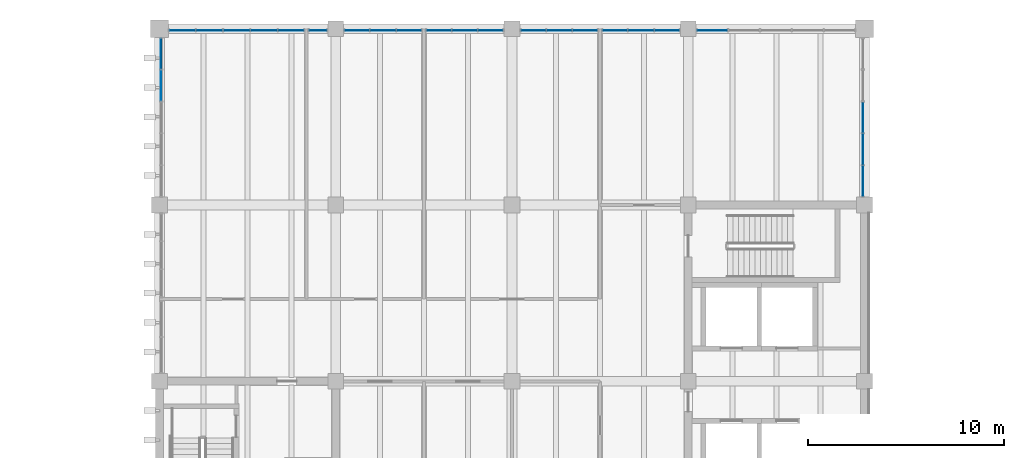
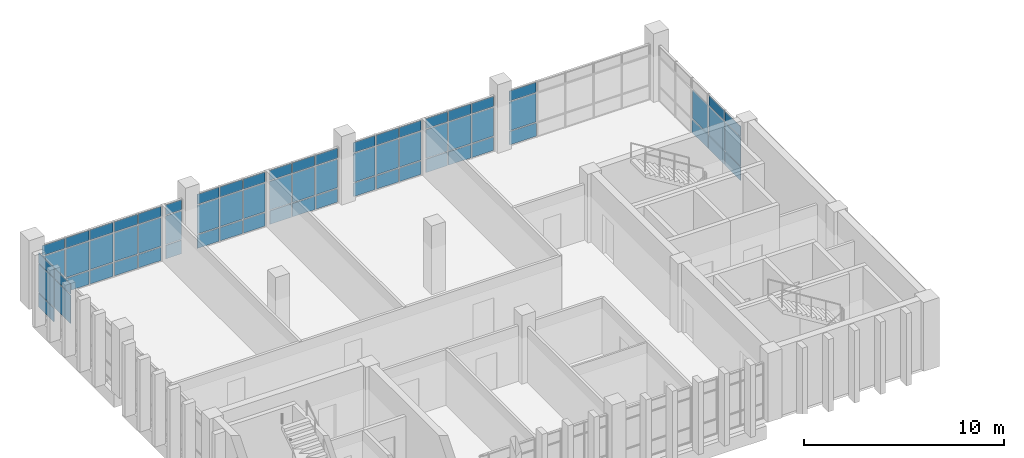
# One storey, part 16 of 29: 70 plates, 9 elements without a shape of their own.
"""IFC4 building model written with IfcOpenShell, lengths in metres."""

import ifcopenshell
import ifcopenshell.guid

model = None  # the IFC model being written
_history = None  # IfcOwnerHistory: only IFC2X3 demands one
_inside = {}  # id of a spatial element -> (the spatial element, [elements in it])
_under = {}  # id of a project, library or spatial element -> (it, [spatial elements below it])
_declared = {}  # id of a project -> (the project, [libraries it declares])
_typed = {}  # id of a type object -> (the type object, [elements of that type])
_made_of = {}  # id of a material, layer set ... -> (it, [elements and type objects made of it])


def new_model(schema):
    """Start an empty IFC model of exactly this schema.

    Asked for "IFC4X3", IfcOpenShell would pick the latest addendum, in which some entities
    have other attributes; the version numbers below select the first issue.
    IFC2X3 requires an IfcOwnerHistory on every rooted entity: one is made here for all.
    """
    global model, _history
    if schema == "IFC4X3":
        model = ifcopenshell.file(schema_version=(4, 3, 0, 0))
    else:
        model = ifcopenshell.file(schema=schema)
    _inside.clear()
    _under.clear()
    _declared.clear()
    _typed.clear()
    _made_of.clear()
    _history = None
    if model.schema == "IFC2X3":
        org = make("IfcOrganization", Name="unknown")
        user = make(
            "IfcPersonAndOrganization",
            ThePerson=make("IfcPerson", FamilyName="unknown"),
            TheOrganization=org,
        )
        app = make(
            "IfcApplication",
            ApplicationDeveloper=org,
            Version="unknown",
            ApplicationFullName="unknown",
            ApplicationIdentifier="unknown",
        )
        _history = make(
            "IfcOwnerHistory",
            OwningUser=user,
            OwningApplication=app,
            ChangeAction="ADDED",
            CreationDate=0,
        )
    return model


def make(cls, **values):
    """One entity of the class cls with the attributes given. An attribute that is None is left unset."""
    return model.create_entity(
        cls, **{name: value for name, value in values.items() if value is not None}
    )


def rooted(cls, **values):
    """An entity with a GlobalId (a new one), such as an element, a storey or a relation."""
    return make(cls, GlobalId=ifcopenshell.guid.new(), OwnerHistory=_history, **values)


def si_unit(unit_type, name, prefix=None):
    """IfcSIUnit, for example si_unit("LENGTHUNIT", "METRE", prefix="MILLI")."""
    return make("IfcSIUnit", UnitType=unit_type, Prefix=prefix, Name=name)


def assignment(units):
    """IfcUnitAssignment: the units of a project."""
    return None if units is None else make("IfcUnitAssignment", Units=units)


def point(xyz):
    """IfcCartesianPoint."""
    return None if xyz is None else make("IfcCartesianPoint", Coordinates=xyz)


def direction(xyz):
    """IfcDirection."""
    return None if xyz is None else make("IfcDirection", DirectionRatios=xyz)


def frame(location, z_axis=None, x_axis=None):
    """IfcAxis2Placement3D, a coordinate frame: its origin and axes. An axis left out is left unset."""
    return make(
        "IfcAxis2Placement3D",
        Location=point(location),
        Axis=direction(z_axis),
        RefDirection=direction(x_axis),
    )


def frame_2d(location, x_axis=None):
    """IfcAxis2Placement2D, a coordinate frame in the plane: its origin and x axis."""
    return make(
        "IfcAxis2Placement2D", Location=point(location), RefDirection=direction(x_axis)
    )


def origin():
    """The frame at (0, 0, 0) with its axes left unset."""
    return frame((0.0, 0.0, 0.0))


def origin_2d():
    """The frame at (0, 0) in the plane with its x axis left unset."""
    return frame_2d((0.0, 0.0))


def place(relative_to, where):
    """IfcLocalPlacement: puts the frame where relative to a parent placement (None: the world)."""
    return make(
        "IfcLocalPlacement", PlacementRelTo=relative_to, RelativePlacement=where
    )


def context(
    kind, dimensions, precision=None, world=None, true_north=None, identifier=None
):
    """IfcGeometricRepresentationContext, for example the 3D "Model" context."""
    return make(
        "IfcGeometricRepresentationContext",
        ContextIdentifier=identifier,
        ContextType=kind,
        CoordinateSpaceDimension=dimensions,
        Precision=precision,
        WorldCoordinateSystem=world,
        TrueNorth=true_north,
    )


def subcontext(parent, identifier, kind, view, scale=None):
    """IfcGeometricRepresentationSubContext, for example "Body" below "Model"."""
    return make(
        "IfcGeometricRepresentationSubContext",
        ContextIdentifier=identifier,
        ContextType=kind,
        ParentContext=parent,
        TargetScale=scale,
        TargetView=view,
    )


def project(units=None, contexts=None):
    """IfcProject with its units and contexts."""
    return rooted(
        "IfcProject",
        Name="project",
        RepresentationContexts=contexts,
        UnitsInContext=assignment(units),
    )


def spatial(cls, under=None, at=None, **own):
    """A site, building, storey or space (cls), placed at a placement, below another one or the project."""
    s = rooted(cls, ObjectPlacement=at, **own)
    if under is not None:
        _under.setdefault(under.id(), (under, []))[1].append(s)
    return s


def profile(cls, at=None, kind="AREA", **sizes):
    """A parametric profile (cls). Its sizes go by their IFC names, for example OverallWidth=200.0."""
    return make(cls, ProfileType=kind, Position=at, **sizes)


def rectangle(**sizes):
    """IfcRectangleProfileDef."""
    return profile("IfcRectangleProfileDef", **sizes)


def extrude(swept, where, along, depth):
    """IfcExtrudedAreaSolid: the profile swept, set in the frame where, extruded along a direction by depth."""
    return make(
        "IfcExtrudedAreaSolid",
        SweptArea=swept,
        Position=where,
        ExtrudedDirection=direction(along),
        Depth=depth,
    )


def shape(context_of_items, identifier, shape_type, items):
    """IfcShapeRepresentation: the items that make up one representation, for example the "Body"."""
    return make(
        "IfcShapeRepresentation",
        ContextOfItems=context_of_items,
        RepresentationIdentifier=identifier,
        RepresentationType=shape_type,
        Items=items,
    )


def material(Name=None, Category=None):
    """IfcMaterial."""
    return make("IfcMaterial", Name=Name, Category=Category)


def layer(
    of_material, thickness, ventilated=None, Name=None, Category=None, Priority=None
):
    """IfcMaterialLayer: one layer of a wall or slab, of a material (None: an air gap)."""
    return make(
        "IfcMaterialLayer",
        Material=of_material,
        LayerThickness=thickness,
        IsVentilated=ventilated,
        Name=Name,
        Category=Category,
        Priority=Priority,
    )


def layer_set(layers, Name=None):
    """IfcMaterialLayerSet."""
    return make("IfcMaterialLayerSet", MaterialLayers=layers, LayerSetName=Name)


def made_of(thing, what):
    """Note that an element or type object is made of a material, layer set ...; save() writes the relation."""
    if what is not None:
        _made_of.setdefault(what.id(), (what, []))[1].append(thing)
    return thing


def type_object(cls, material=None, **own):
    """A type object (cls), such as IfcWallType, which elements share."""
    return made_of(rooted(cls, **own), material)


def element(
    cls,
    number,
    at=None,
    inside=None,
    cuts=None,
    type_object=None,
    material=None,
    context=None,
    identifier="Body",
    shape_type=None,
    held_by="IfcProductDefinitionShape",
    body=None,
    shapes=None,
    **own,
):
    """One element of the class cls, such as IfcWall. Its Tag is "e" and its number.

    at: its placement. inside: the storey or other place that contains it. cuts: it is an
    opening in that element (IfcRelVoidsElement). A single representation is given by context,
    identifier, shape_type and body (its items); several are given by shapes. held_by: the class
    of the entity that holds the representations. save() writes the other relations.
    """
    e = rooted(cls, Tag="e%d" % number, ObjectPlacement=at, **own)
    if body is not None:
        shapes = [shape(context, identifier, shape_type, body)]
    if shapes is not None:
        e.Representation = make(held_by, Representations=shapes)
    if inside is not None:
        _inside.setdefault(inside.id(), (inside, []))[1].append(e)
    if cuts is not None:
        rooted(
            "IfcRelVoidsElement", RelatingBuildingElement=cuts, RelatedOpeningElement=e
        )
    if type_object is not None:
        _typed.setdefault(type_object.id(), (type_object, []))[1].append(e)
    return made_of(e, material)


def aggregate(whole, parts):
    """IfcRelAggregates: a whole, such as a stair, and the parts it consists of."""
    return rooted("IfcRelAggregates", RelatingObject=whole, RelatedObjects=parts)


def save(model, path):
    """Write the relations noted so far, then the file.

    IfcRelAggregates (storeys below a building ...), IfcRelContainedInSpatialStructure (elements
    in a storey), IfcRelDefinesByType, IfcRelAssociatesMaterial and IfcRelDeclares: one each for
    every whole, place, type object, material and project.
    """
    for whole, parts in _under.values():
        aggregate(whole, parts)
    for where, things in _inside.values():
        rooted(
            "IfcRelContainedInSpatialStructure",
            RelatedElements=things,
            RelatingStructure=where,
        )
    for kind, things in _typed.values():
        rooted("IfcRelDefinesByType", RelatedObjects=things, RelatingType=kind)
    for what, things in _made_of.values():
        rooted("IfcRelAssociatesMaterial", RelatedObjects=things, RelatingMaterial=what)
    for by, libraries in _declared.values():
        rooted("IfcRelDeclares", RelatingContext=by, RelatedDefinitions=libraries)
    model.write(path)


model = new_model("IFC4")

# Units and contexts
model_context = context("Model", 3, precision=1e-05, world=origin(), true_north=direction((0.0, 1.0)))
body_context = subcontext(model_context, "Body", "Model", "MODEL_VIEW")
ifc_project = project(units=[si_unit("LENGTHUNIT", "METRE"), si_unit("AREAUNIT", "SQUARE_METRE"), si_unit("VOLUMEUNIT", "CUBIC_METRE"), si_unit("PLANEANGLEUNIT", "RADIAN"), si_unit("MASSUNIT", "GRAM", prefix="KILO")], contexts=[model_context])

# Site, building, storey
site_placement = place(None, origin())
site = spatial("IfcSite", under=ifc_project, at=site_placement, CompositionType="ELEMENT")
building_placement = place(site_placement, origin())
building = spatial("IfcBuilding", under=site, at=building_placement, Name="Merrow Basin Faculty of Sciences", CompositionType="ELEMENT")
storey_placement = place(building_placement, frame((0.0, 0.0, 22.5)))
storey = spatial("IfcBuildingStorey", under=building, at=storey_placement, Name="L05", CompositionType="ELEMENT", Elevation=22.5)

# Curtain wall, plate
ifc_material_1 = material(Name="Aluminium alloy 6063", Category="aluminium")
curtain_wall_type = type_object("IfcCurtainWallType", Name="Unitised curtain wall 160", PredefinedType="NOTDEFINED", material=ifc_material_1)
curtain_wall_1_placement = place(storey_placement, origin())
curtain_wall_1 = element("IfcCurtainWall", 1, at=curtain_wall_1_placement, inside=storey, type_object=curtain_wall_type, Name="W curtain wall L05 3", PredefinedType="NOTDEFINED")
ifc_material_2 = material(Name="Insulated aluminium spandrel panel", Category="aluminium")
ifc_layer_1 = layer(ifc_material_2, 0.052001953125)
ifc_layer_set_1 = layer_set([ifc_layer_1], Name="Insulated spandrel panel 52")
plate_type_1 = type_object("IfcPlateType", Name="Insulated spandrel panel 52", PredefinedType="CURTAIN_PANEL", material=ifc_layer_set_1)
plate_1_placement = place(storey_placement, frame((18.080078125, 167.719970703125, 0.06005859375), z_axis=(0.0, 0.0, 1.0), x_axis=(0.0, 1.0, 0.0)))
plate_1 = element("IfcPlate", 2, at=plate_1_placement, type_object=plate_type_1, Name="CW3 panel 5.1", PredefinedType="CURTAIN_PANEL", context=body_context, shape_type="SweptSolid", body=[
    extrude(rectangle(XDim=1.5400390625, YDim=0.052001953125, at=origin_2d()), origin(), (0.0, 0.0, 1.0), 0.81005859375),
])

# Curtain wall, plates
curtain_wall_2_placement = place(storey_placement, origin())
curtain_wall_2 = element("IfcCurtainWall", 3, at=curtain_wall_2_placement, inside=storey, type_object=curtain_wall_type, Name="N curtain wall L05 1", PredefinedType="NOTDEFINED")
plate_2_placement = place(storey_placement, frame((19.16259765625, 168.919921875, 0.06005859375), z_axis=(0.0, 0.0, 1.0), x_axis=(1.0, 0.0, 0.0)))
plate_2 = element("IfcPlate", 4, at=plate_2_placement, type_object=plate_type_1, Name="CW3 panel 1.1", PredefinedType="CURTAIN_PANEL", context=body_context, shape_type="SweptSolid", body=[
    extrude(rectangle(XDim=1.304931640625, YDim=0.052001953125, at=origin_2d()), origin(), (0.0, 0.0, 1.0), 0.81005859375),
])
plate_3_placement = place(storey_placement, frame((20.54248046875, 168.919921875, 0.06005859375), z_axis=(0.0, 0.0, 1.0), x_axis=(1.0, 0.0, 0.0)))
plate_3 = element("IfcPlate", 5, at=plate_3_placement, type_object=plate_type_1, Name="CW3 panel 2.1", PredefinedType="CURTAIN_PANEL", context=body_context, shape_type="SweptSolid", body=[
    extrude(rectangle(XDim=1.3349609375, YDim=0.052001953125, at=origin_2d()), origin(), (0.0, 0.0, 1.0), 0.81005859375),
])
plate_4_placement = place(storey_placement, frame((21.9375, 168.919921875, 0.06005859375), z_axis=(0.0, 0.0, 1.0), x_axis=(1.0, 0.0, 0.0)))
plate_4 = element("IfcPlate", 6, at=plate_4_placement, type_object=plate_type_1, Name="CW3 panel 3.1", PredefinedType="CURTAIN_PANEL", context=body_context, shape_type="SweptSolid", body=[
    extrude(rectangle(XDim=1.3349609375, YDim=0.052001953125, at=origin_2d()), origin(), (0.0, 0.0, 1.0), 0.81005859375),
])
plate_5_placement = place(storey_placement, frame((23.33251953125, 168.919921875, 0.06005859375), z_axis=(0.0, 0.0, 1.0), x_axis=(1.0, 0.0, 0.0)))
plate_5 = element("IfcPlate", 7, at=plate_5_placement, type_object=plate_type_1, Name="CW3 panel 4.1", PredefinedType="CURTAIN_PANEL", context=body_context, shape_type="SweptSolid", body=[
    extrude(rectangle(XDim=1.3349609375, YDim=0.052001953125, at=origin_2d()), origin(), (0.0, 0.0, 1.0), 0.81005859375),
])
plate_6_placement = place(storey_placement, frame((24.71240234375, 168.919921875, 0.06005859375), z_axis=(0.0, 0.0, 1.0), x_axis=(1.0, 0.0, 0.0)))
plate_6 = element("IfcPlate", 8, at=plate_6_placement, type_object=plate_type_1, Name="CW3 panel 5.1", PredefinedType="CURTAIN_PANEL", context=body_context, shape_type="SweptSolid", body=[
    extrude(rectangle(XDim=1.304931640625, YDim=0.052001953125, at=origin_2d()), origin(), (0.0, 0.0, 1.0), 0.81005859375),
])

# Curtain wall, plate
curtain_wall_3_placement = place(storey_placement, origin())
curtain_wall_3 = element("IfcCurtainWall", 9, at=curtain_wall_3_placement, inside=storey, type_object=curtain_wall_type, Name="N curtain wall L05 2", PredefinedType="NOTDEFINED")
plate_7_placement = place(storey_placement, frame((26.08740234375, 168.919921875, 0.06005859375), z_axis=(0.0, 0.0, 1.0), x_axis=(1.0, 0.0, 0.0)))
plate_7 = element("IfcPlate", 10, at=plate_7_placement, type_object=plate_type_1, Name="CW3 panel 1.1", PredefinedType="CURTAIN_PANEL", context=body_context, shape_type="SweptSolid", body=[
    extrude(rectangle(XDim=0.905029296875, YDim=0.052001953125, at=origin_2d()), origin(), (0.0, 0.0, 1.0), 0.81005859375),
])

# Curtain wall, plates
curtain_wall_4_placement = place(storey_placement, origin())
curtain_wall_4 = element("IfcCurtainWall", 11, at=curtain_wall_4_placement, inside=storey, type_object=curtain_wall_type, Name="N curtain wall L05 3", PredefinedType="NOTDEFINED")
plate_8_placement = place(storey_placement, frame((28.0859375, 168.919921875, 0.06005859375), z_axis=(0.0, 0.0, 1.0), x_axis=(1.0, 0.0, 0.0)))
plate_8 = element("IfcPlate", 12, at=plate_8_placement, type_object=plate_type_1, Name="CW3 panel 1.1", PredefinedType="CURTAIN_PANEL", context=body_context, shape_type="SweptSolid", body=[
    extrude(rectangle(XDim=1.251708984375, YDim=0.052001953125, at=origin_2d()), origin(), (0.0, 0.0, 1.0), 0.81005859375),
])
plate_9_placement = place(storey_placement, frame((29.41259765625, 168.919921875, 0.06005859375), z_axis=(0.0, 0.0, 1.0), x_axis=(1.0, 0.0, 0.0)))
plate_9 = element("IfcPlate", 13, at=plate_9_placement, type_object=plate_type_1, Name="CW3 panel 2.1", PredefinedType="CURTAIN_PANEL", context=body_context, shape_type="SweptSolid", body=[
    extrude(rectangle(XDim=1.28173828125, YDim=0.052001953125, at=origin_2d()), origin(), (0.0, 0.0, 1.0), 0.81005859375),
])
plate_10_placement = place(storey_placement, frame((30.7392578125, 168.919921875, 0.06005859375), z_axis=(0.0, 0.0, 1.0), x_axis=(1.0, 0.0, 0.0)))
plate_10 = element("IfcPlate", 14, at=plate_10_placement, type_object=plate_type_1, Name="CW3 panel 3.1", PredefinedType="CURTAIN_PANEL", context=body_context, shape_type="SweptSolid", body=[
    extrude(rectangle(XDim=1.251708984375, YDim=0.052001953125, at=origin_2d()), origin(), (0.0, 0.0, 1.0), 0.81005859375),
])

curtain_wall_5_placement = place(storey_placement, origin())
curtain_wall_5 = element("IfcCurtainWall", 15, at=curtain_wall_5_placement, inside=storey, type_object=curtain_wall_type, Name="N curtain wall L05 4", PredefinedType="NOTDEFINED")
plate_11_placement = place(storey_placement, frame((32.2607421875, 168.919921875, 0.06005859375), z_axis=(0.0, 0.0, 1.0), x_axis=(1.0, 0.0, 0.0)))
plate_11 = element("IfcPlate", 16, at=plate_11_placement, type_object=plate_type_1, Name="CW3 panel 1.1", PredefinedType="CURTAIN_PANEL", context=body_context, shape_type="SweptSolid", body=[
    extrude(rectangle(XDim=1.251708984375, YDim=0.052001953125, at=origin_2d()), origin(), (0.0, 0.0, 1.0), 0.81005859375),
])
plate_12_placement = place(storey_placement, frame((33.58740234375, 168.919921875, 0.06005859375), z_axis=(0.0, 0.0, 1.0), x_axis=(1.0, 0.0, 0.0)))
plate_12 = element("IfcPlate", 17, at=plate_12_placement, type_object=plate_type_1, Name="CW3 panel 2.1", PredefinedType="CURTAIN_PANEL", context=body_context, shape_type="SweptSolid", body=[
    extrude(rectangle(XDim=1.28173828125, YDim=0.052001953125, at=origin_2d()), origin(), (0.0, 0.0, 1.0), 0.81005859375),
])
plate_13_placement = place(storey_placement, frame((34.9140625, 168.919921875, 0.06005859375), z_axis=(0.0, 0.0, 1.0), x_axis=(1.0, 0.0, 0.0)))
plate_13 = element("IfcPlate", 18, at=plate_13_placement, type_object=plate_type_1, Name="CW3 panel 3.1", PredefinedType="CURTAIN_PANEL", context=body_context, shape_type="SweptSolid", body=[
    extrude(rectangle(XDim=1.251708984375, YDim=0.052001953125, at=origin_2d()), origin(), (0.0, 0.0, 1.0), 0.81005859375),
])

curtain_wall_6_placement = place(storey_placement, origin())
curtain_wall_6 = element("IfcCurtainWall", 19, at=curtain_wall_6_placement, inside=storey, type_object=curtain_wall_type, Name="N curtain wall L05 5", PredefinedType="NOTDEFINED")
plate_14_placement = place(storey_placement, frame((37.0859375, 168.919921875, 0.06005859375), z_axis=(0.0, 0.0, 1.0), x_axis=(1.0, 0.0, 0.0)))
plate_14 = element("IfcPlate", 20, at=plate_14_placement, type_object=plate_type_1, Name="CW3 panel 1.1", PredefinedType="CURTAIN_PANEL", context=body_context, shape_type="SweptSolid", body=[
    extrude(rectangle(XDim=1.251708984375, YDim=0.052001953125, at=origin_2d()), origin(), (0.0, 0.0, 1.0), 0.81005859375),
])
plate_15_placement = place(storey_placement, frame((38.41259765625, 168.919921875, 0.06005859375), z_axis=(0.0, 0.0, 1.0), x_axis=(1.0, 0.0, 0.0)))
plate_15 = element("IfcPlate", 21, at=plate_15_placement, type_object=plate_type_1, Name="CW3 panel 2.1", PredefinedType="CURTAIN_PANEL", context=body_context, shape_type="SweptSolid", body=[
    extrude(rectangle(XDim=1.28173828125, YDim=0.052001953125, at=origin_2d()), origin(), (0.0, 0.0, 1.0), 0.81005859375),
])
plate_16_placement = place(storey_placement, frame((39.7392578125, 168.919921875, 0.06005859375), z_axis=(0.0, 0.0, 1.0), x_axis=(1.0, 0.0, 0.0)))
plate_16 = element("IfcPlate", 22, at=plate_16_placement, type_object=plate_type_1, Name="CW3 panel 3.1", PredefinedType="CURTAIN_PANEL", context=body_context, shape_type="SweptSolid", body=[
    extrude(rectangle(XDim=1.251708984375, YDim=0.052001953125, at=origin_2d()), origin(), (0.0, 0.0, 1.0), 0.81005859375),
])

curtain_wall_7_placement = place(storey_placement, origin())
curtain_wall_7 = element("IfcCurtainWall", 23, at=curtain_wall_7_placement, inside=storey, type_object=curtain_wall_type, Name="N curtain wall L05 6", PredefinedType="NOTDEFINED")
plate_17_placement = place(storey_placement, frame((41.2607421875, 168.919921875, 0.06005859375), z_axis=(0.0, 0.0, 1.0), x_axis=(1.0, 0.0, 0.0)))
plate_17 = element("IfcPlate", 24, at=plate_17_placement, type_object=plate_type_1, Name="CW3 panel 1.1", PredefinedType="CURTAIN_PANEL", context=body_context, shape_type="SweptSolid", body=[
    extrude(rectangle(XDim=1.251708984375, YDim=0.052001953125, at=origin_2d()), origin(), (0.0, 0.0, 1.0), 0.81005859375),
])
plate_18_placement = place(storey_placement, frame((42.58740234375, 168.919921875, 0.06005859375), z_axis=(0.0, 0.0, 1.0), x_axis=(1.0, 0.0, 0.0)))
plate_18 = element("IfcPlate", 25, at=plate_18_placement, type_object=plate_type_1, Name="CW3 panel 2.1", PredefinedType="CURTAIN_PANEL", context=body_context, shape_type="SweptSolid", body=[
    extrude(rectangle(XDim=1.28173828125, YDim=0.052001953125, at=origin_2d()), origin(), (0.0, 0.0, 1.0), 0.81005859375),
])
plate_19_placement = place(storey_placement, frame((43.9140625, 168.919921875, 0.06005859375), z_axis=(0.0, 0.0, 1.0), x_axis=(1.0, 0.0, 0.0)))
plate_19 = element("IfcPlate", 26, at=plate_19_placement, type_object=plate_type_1, Name="CW3 panel 3.1", PredefinedType="CURTAIN_PANEL", context=body_context, shape_type="SweptSolid", body=[
    extrude(rectangle(XDim=1.251708984375, YDim=0.052001953125, at=origin_2d()), origin(), (0.0, 0.0, 1.0), 0.81005859375),
])

# Curtain wall, plate
curtain_wall_8_placement = place(storey_placement, origin())
curtain_wall_8 = element("IfcCurtainWall", 27, at=curtain_wall_8_placement, inside=storey, type_object=curtain_wall_type, Name="N curtain wall L05 7", PredefinedType="NOTDEFINED")
plate_20_placement = place(storey_placement, frame((46.22998046875, 168.919921875, 0.06005859375), z_axis=(0.0, 0.0, 1.0), x_axis=(1.0, 0.0, 0.0)))
plate_20 = element("IfcPlate", 28, at=plate_20_placement, type_object=plate_type_1, Name="CW3 panel 1.1", PredefinedType="CURTAIN_PANEL", context=body_context, shape_type="SweptSolid", body=[
    extrude(rectangle(XDim=1.5400390625, YDim=0.052001953125, at=origin_2d()), origin(), (0.0, 0.0, 1.0), 0.81005859375),
])

# Curtain wall, plates
curtain_wall_9_placement = place(storey_placement, origin())
curtain_wall_9 = element("IfcCurtainWall", 29, at=curtain_wall_9_placement, inside=storey, type_object=curtain_wall_type, Name="E curtain wall L05 1", PredefinedType="NOTDEFINED")
plate_21_placement = place(storey_placement, frame((53.919921875, 161.22998046875, 0.06005859375), z_axis=(0.0, 0.0, 1.0), x_axis=(0.0, 1.0, 0.0)))
plate_21 = element("IfcPlate", 30, at=plate_21_placement, type_object=plate_type_1, Name="CW3 panel 1.1", PredefinedType="CURTAIN_PANEL", context=body_context, shape_type="SweptSolid", body=[
    extrude(rectangle(XDim=1.5400390625, YDim=0.052001953125, at=origin_2d()), origin(), (0.0, 0.0, 1.0), 0.81005859375),
])
plate_22_placement = place(storey_placement, frame((53.919921875, 162.844970703125, 0.06005859375), z_axis=(0.0, 0.0, 1.0), x_axis=(0.0, 1.0, 0.0)))
plate_22 = element("IfcPlate", 31, at=plate_22_placement, type_object=plate_type_1, Name="CW3 panel 2.1", PredefinedType="CURTAIN_PANEL", context=body_context, shape_type="SweptSolid", body=[
    extrude(rectangle(XDim=1.570068359375, YDim=0.052001953125, at=origin_2d()), origin(), (0.0, 0.0, 1.0), 0.81005859375),
])
plate_23_placement = place(storey_placement, frame((53.919921875, 164.47509765625, 0.06005859375), z_axis=(0.0, 0.0, 1.0), x_axis=(0.0, 1.0, 0.0)))
plate_23 = element("IfcPlate", 32, at=plate_23_placement, type_object=plate_type_1, Name="CW3 panel 3.1", PredefinedType="CURTAIN_PANEL", context=body_context, shape_type="SweptSolid", body=[
    extrude(rectangle(XDim=1.570068359375, YDim=0.052001953125, at=origin_2d()), origin(), (0.0, 0.0, 1.0), 0.81005859375),
])

# Plate
ifc_material_3 = material(Name="Low-E double glazing", Category="glass")
ifc_layer_2 = layer(ifc_material_3, 0.028076171875)
ifc_layer_set_2 = layer_set([ifc_layer_2], Name="Low-E double glazed panel 28")
plate_type_2 = type_object("IfcPlateType", Name="Low-E double glazed panel 28", PredefinedType="CURTAIN_PANEL", material=ifc_layer_set_2)
plate_24_placement = place(storey_placement, frame((18.080078125, 166.10498046875, 0.93017578125), z_axis=(0.0, 0.0, 1.0), x_axis=(0.0, 1.0, 0.0)))
plate_24 = element("IfcPlate", 33, at=plate_24_placement, type_object=plate_type_2, Name="CW3 panel 4.2", PredefinedType="CURTAIN_PANEL", context=body_context, shape_type="SweptSolid", body=[
    extrude(rectangle(XDim=1.570068359375, YDim=0.028076171875, at=origin_2d()), origin(), (0.0, 0.0, 1.0), 1.739990234375),
])

plate_25_placement = place(storey_placement, frame((18.080078125, 166.10498046875, 2.72998046875), z_axis=(0.0, 0.0, 1.0), x_axis=(0.0, 1.0, 0.0)))
plate_25 = element("IfcPlate", 34, at=plate_25_placement, type_object=plate_type_2, Name="CW3 panel 4.3", PredefinedType="CURTAIN_PANEL", context=body_context, shape_type="SweptSolid", body=[
    extrude(rectangle(XDim=1.570068359375, YDim=0.028076171875, at=origin_2d()), origin(), (0.0, 0.0, 1.0), 0.610107421875),
])

plate_26_placement = place(storey_placement, frame((18.080078125, 167.719970703125, 0.93017578125), z_axis=(0.0, 0.0, 1.0), x_axis=(0.0, 1.0, 0.0)))
plate_26 = element("IfcPlate", 35, at=plate_26_placement, type_object=plate_type_2, Name="CW3 panel 5.2", PredefinedType="CURTAIN_PANEL", context=body_context, shape_type="SweptSolid", body=[
    extrude(rectangle(XDim=1.5400390625, YDim=0.028076171875, at=origin_2d()), origin(), (0.0, 0.0, 1.0), 1.739990234375),
])

plate_27_placement = place(storey_placement, frame((18.080078125, 167.719970703125, 2.72998046875), z_axis=(0.0, 0.0, 1.0), x_axis=(0.0, 1.0, 0.0)))
plate_27 = element("IfcPlate", 36, at=plate_27_placement, type_object=plate_type_2, Name="CW3 panel 5.3", PredefinedType="CURTAIN_PANEL", context=body_context, shape_type="SweptSolid", body=[
    extrude(rectangle(XDim=1.5400390625, YDim=0.028076171875, at=origin_2d()), origin(), (0.0, 0.0, 1.0), 0.610107421875),
])

aggregate(curtain_wall_1, [plate_24, plate_25, plate_1, plate_26, plate_27])

plate_28_placement = place(storey_placement, frame((19.16259765625, 168.919921875, 0.93017578125), z_axis=(0.0, 0.0, 1.0), x_axis=(1.0, 0.0, 0.0)))
plate_28 = element("IfcPlate", 37, at=plate_28_placement, type_object=plate_type_2, Name="CW3 panel 1.2", PredefinedType="CURTAIN_PANEL", context=body_context, shape_type="SweptSolid", body=[
    extrude(rectangle(XDim=1.304931640625, YDim=0.028076171875, at=origin_2d()), origin(), (0.0, 0.0, 1.0), 1.739990234375),
])

plate_29_placement = place(storey_placement, frame((19.16259765625, 168.919921875, 2.72998046875), z_axis=(0.0, 0.0, 1.0), x_axis=(1.0, 0.0, 0.0)))
plate_29 = element("IfcPlate", 38, at=plate_29_placement, type_object=plate_type_2, Name="CW3 panel 1.3", PredefinedType="CURTAIN_PANEL", context=body_context, shape_type="SweptSolid", body=[
    extrude(rectangle(XDim=1.304931640625, YDim=0.028076171875, at=origin_2d()), origin(), (0.0, 0.0, 1.0), 0.610107421875),
])

plate_30_placement = place(storey_placement, frame((20.54248046875, 168.919921875, 0.93017578125), z_axis=(0.0, 0.0, 1.0), x_axis=(1.0, 0.0, 0.0)))
plate_30 = element("IfcPlate", 39, at=plate_30_placement, type_object=plate_type_2, Name="CW3 panel 2.2", PredefinedType="CURTAIN_PANEL", context=body_context, shape_type="SweptSolid", body=[
    extrude(rectangle(XDim=1.3349609375, YDim=0.028076171875, at=origin_2d()), origin(), (0.0, 0.0, 1.0), 1.739990234375),
])

plate_31_placement = place(storey_placement, frame((20.54248046875, 168.919921875, 2.72998046875), z_axis=(0.0, 0.0, 1.0), x_axis=(1.0, 0.0, 0.0)))
plate_31 = element("IfcPlate", 40, at=plate_31_placement, type_object=plate_type_2, Name="CW3 panel 2.3", PredefinedType="CURTAIN_PANEL", context=body_context, shape_type="SweptSolid", body=[
    extrude(rectangle(XDim=1.3349609375, YDim=0.028076171875, at=origin_2d()), origin(), (0.0, 0.0, 1.0), 0.610107421875),
])

plate_32_placement = place(storey_placement, frame((21.9375, 168.919921875, 0.93017578125), z_axis=(0.0, 0.0, 1.0), x_axis=(1.0, 0.0, 0.0)))
plate_32 = element("IfcPlate", 41, at=plate_32_placement, type_object=plate_type_2, Name="CW3 panel 3.2", PredefinedType="CURTAIN_PANEL", context=body_context, shape_type="SweptSolid", body=[
    extrude(rectangle(XDim=1.3349609375, YDim=0.028076171875, at=origin_2d()), origin(), (0.0, 0.0, 1.0), 1.739990234375),
])

plate_33_placement = place(storey_placement, frame((21.9375, 168.919921875, 2.72998046875), z_axis=(0.0, 0.0, 1.0), x_axis=(1.0, 0.0, 0.0)))
plate_33 = element("IfcPlate", 42, at=plate_33_placement, type_object=plate_type_2, Name="CW3 panel 3.3", PredefinedType="CURTAIN_PANEL", context=body_context, shape_type="SweptSolid", body=[
    extrude(rectangle(XDim=1.3349609375, YDim=0.028076171875, at=origin_2d()), origin(), (0.0, 0.0, 1.0), 0.610107421875),
])

plate_34_placement = place(storey_placement, frame((23.33251953125, 168.919921875, 0.93017578125), z_axis=(0.0, 0.0, 1.0), x_axis=(1.0, 0.0, 0.0)))
plate_34 = element("IfcPlate", 43, at=plate_34_placement, type_object=plate_type_2, Name="CW3 panel 4.2", PredefinedType="CURTAIN_PANEL", context=body_context, shape_type="SweptSolid", body=[
    extrude(rectangle(XDim=1.3349609375, YDim=0.028076171875, at=origin_2d()), origin(), (0.0, 0.0, 1.0), 1.739990234375),
])

plate_35_placement = place(storey_placement, frame((23.33251953125, 168.919921875, 2.72998046875), z_axis=(0.0, 0.0, 1.0), x_axis=(1.0, 0.0, 0.0)))
plate_35 = element("IfcPlate", 44, at=plate_35_placement, type_object=plate_type_2, Name="CW3 panel 4.3", PredefinedType="CURTAIN_PANEL", context=body_context, shape_type="SweptSolid", body=[
    extrude(rectangle(XDim=1.3349609375, YDim=0.028076171875, at=origin_2d()), origin(), (0.0, 0.0, 1.0), 0.610107421875),
])

plate_36_placement = place(storey_placement, frame((24.71240234375, 168.919921875, 0.93017578125), z_axis=(0.0, 0.0, 1.0), x_axis=(1.0, 0.0, 0.0)))
plate_36 = element("IfcPlate", 45, at=plate_36_placement, type_object=plate_type_2, Name="CW3 panel 5.2", PredefinedType="CURTAIN_PANEL", context=body_context, shape_type="SweptSolid", body=[
    extrude(rectangle(XDim=1.304931640625, YDim=0.028076171875, at=origin_2d()), origin(), (0.0, 0.0, 1.0), 1.739990234375),
])

plate_37_placement = place(storey_placement, frame((24.71240234375, 168.919921875, 2.72998046875), z_axis=(0.0, 0.0, 1.0), x_axis=(1.0, 0.0, 0.0)))
plate_37 = element("IfcPlate", 46, at=plate_37_placement, type_object=plate_type_2, Name="CW3 panel 5.3", PredefinedType="CURTAIN_PANEL", context=body_context, shape_type="SweptSolid", body=[
    extrude(rectangle(XDim=1.304931640625, YDim=0.028076171875, at=origin_2d()), origin(), (0.0, 0.0, 1.0), 0.610107421875),
])

aggregate(curtain_wall_2, [plate_2, plate_28, plate_29, plate_3, plate_30, plate_31, plate_4, plate_32, plate_33, plate_5, plate_34, plate_35, plate_6, plate_36, plate_37])

plate_38_placement = place(storey_placement, frame((26.08740234375, 168.919921875, 0.93017578125), z_axis=(0.0, 0.0, 1.0), x_axis=(1.0, 0.0, 0.0)))
plate_38 = element("IfcPlate", 47, at=plate_38_placement, type_object=plate_type_2, Name="CW3 panel 1.2", PredefinedType="CURTAIN_PANEL", context=body_context, shape_type="SweptSolid", body=[
    extrude(rectangle(XDim=0.905029296875, YDim=0.028076171875, at=origin_2d()), origin(), (0.0, 0.0, 1.0), 1.739990234375),
])

plate_39_placement = place(storey_placement, frame((26.08740234375, 168.919921875, 2.72998046875), z_axis=(0.0, 0.0, 1.0), x_axis=(1.0, 0.0, 0.0)))
plate_39 = element("IfcPlate", 48, at=plate_39_placement, type_object=plate_type_2, Name="CW3 panel 1.3", PredefinedType="CURTAIN_PANEL", context=body_context, shape_type="SweptSolid", body=[
    extrude(rectangle(XDim=0.905029296875, YDim=0.028076171875, at=origin_2d()), origin(), (0.0, 0.0, 1.0), 0.610107421875),
])

aggregate(curtain_wall_3, [plate_7, plate_38, plate_39])

plate_40_placement = place(storey_placement, frame((28.0859375, 168.919921875, 0.93017578125), z_axis=(0.0, 0.0, 1.0), x_axis=(1.0, 0.0, 0.0)))
plate_40 = element("IfcPlate", 49, at=plate_40_placement, type_object=plate_type_2, Name="CW3 panel 1.2", PredefinedType="CURTAIN_PANEL", context=body_context, shape_type="SweptSolid", body=[
    extrude(rectangle(XDim=1.251708984375, YDim=0.028076171875, at=origin_2d()), origin(), (0.0, 0.0, 1.0), 1.739990234375),
])

plate_41_placement = place(storey_placement, frame((28.0859375, 168.919921875, 2.72998046875), z_axis=(0.0, 0.0, 1.0), x_axis=(1.0, 0.0, 0.0)))
plate_41 = element("IfcPlate", 50, at=plate_41_placement, type_object=plate_type_2, Name="CW3 panel 1.3", PredefinedType="CURTAIN_PANEL", context=body_context, shape_type="SweptSolid", body=[
    extrude(rectangle(XDim=1.251708984375, YDim=0.028076171875, at=origin_2d()), origin(), (0.0, 0.0, 1.0), 0.610107421875),
])

plate_42_placement = place(storey_placement, frame((29.41259765625, 168.919921875, 0.93017578125), z_axis=(0.0, 0.0, 1.0), x_axis=(1.0, 0.0, 0.0)))
plate_42 = element("IfcPlate", 51, at=plate_42_placement, type_object=plate_type_2, Name="CW3 panel 2.2", PredefinedType="CURTAIN_PANEL", context=body_context, shape_type="SweptSolid", body=[
    extrude(rectangle(XDim=1.28173828125, YDim=0.028076171875, at=origin_2d()), origin(), (0.0, 0.0, 1.0), 1.739990234375),
])

plate_43_placement = place(storey_placement, frame((29.41259765625, 168.919921875, 2.72998046875), z_axis=(0.0, 0.0, 1.0), x_axis=(1.0, 0.0, 0.0)))
plate_43 = element("IfcPlate", 52, at=plate_43_placement, type_object=plate_type_2, Name="CW3 panel 2.3", PredefinedType="CURTAIN_PANEL", context=body_context, shape_type="SweptSolid", body=[
    extrude(rectangle(XDim=1.28173828125, YDim=0.028076171875, at=origin_2d()), origin(), (0.0, 0.0, 1.0), 0.610107421875),
])

plate_44_placement = place(storey_placement, frame((30.7392578125, 168.919921875, 0.93017578125), z_axis=(0.0, 0.0, 1.0), x_axis=(1.0, 0.0, 0.0)))
plate_44 = element("IfcPlate", 53, at=plate_44_placement, type_object=plate_type_2, Name="CW3 panel 3.2", PredefinedType="CURTAIN_PANEL", context=body_context, shape_type="SweptSolid", body=[
    extrude(rectangle(XDim=1.251708984375, YDim=0.028076171875, at=origin_2d()), origin(), (0.0, 0.0, 1.0), 1.739990234375),
])

plate_45_placement = place(storey_placement, frame((30.7392578125, 168.919921875, 2.72998046875), z_axis=(0.0, 0.0, 1.0), x_axis=(1.0, 0.0, 0.0)))
plate_45 = element("IfcPlate", 54, at=plate_45_placement, type_object=plate_type_2, Name="CW3 panel 3.3", PredefinedType="CURTAIN_PANEL", context=body_context, shape_type="SweptSolid", body=[
    extrude(rectangle(XDim=1.251708984375, YDim=0.028076171875, at=origin_2d()), origin(), (0.0, 0.0, 1.0), 0.610107421875),
])

aggregate(curtain_wall_4, [plate_8, plate_40, plate_41, plate_9, plate_42, plate_43, plate_10, plate_44, plate_45])

plate_46_placement = place(storey_placement, frame((32.2607421875, 168.919921875, 0.93017578125), z_axis=(0.0, 0.0, 1.0), x_axis=(1.0, 0.0, 0.0)))
plate_46 = element("IfcPlate", 55, at=plate_46_placement, type_object=plate_type_2, Name="CW3 panel 1.2", PredefinedType="CURTAIN_PANEL", context=body_context, shape_type="SweptSolid", body=[
    extrude(rectangle(XDim=1.251708984375, YDim=0.028076171875, at=origin_2d()), origin(), (0.0, 0.0, 1.0), 1.739990234375),
])

plate_47_placement = place(storey_placement, frame((32.2607421875, 168.919921875, 2.72998046875), z_axis=(0.0, 0.0, 1.0), x_axis=(1.0, 0.0, 0.0)))
plate_47 = element("IfcPlate", 56, at=plate_47_placement, type_object=plate_type_2, Name="CW3 panel 1.3", PredefinedType="CURTAIN_PANEL", context=body_context, shape_type="SweptSolid", body=[
    extrude(rectangle(XDim=1.251708984375, YDim=0.028076171875, at=origin_2d()), origin(), (0.0, 0.0, 1.0), 0.610107421875),
])

plate_48_placement = place(storey_placement, frame((33.58740234375, 168.919921875, 0.93017578125), z_axis=(0.0, 0.0, 1.0), x_axis=(1.0, 0.0, 0.0)))
plate_48 = element("IfcPlate", 57, at=plate_48_placement, type_object=plate_type_2, Name="CW3 panel 2.2", PredefinedType="CURTAIN_PANEL", context=body_context, shape_type="SweptSolid", body=[
    extrude(rectangle(XDim=1.28173828125, YDim=0.028076171875, at=origin_2d()), origin(), (0.0, 0.0, 1.0), 1.739990234375),
])

plate_49_placement = place(storey_placement, frame((33.58740234375, 168.919921875, 2.72998046875), z_axis=(0.0, 0.0, 1.0), x_axis=(1.0, 0.0, 0.0)))
plate_49 = element("IfcPlate", 58, at=plate_49_placement, type_object=plate_type_2, Name="CW3 panel 2.3", PredefinedType="CURTAIN_PANEL", context=body_context, shape_type="SweptSolid", body=[
    extrude(rectangle(XDim=1.28173828125, YDim=0.028076171875, at=origin_2d()), origin(), (0.0, 0.0, 1.0), 0.610107421875),
])

plate_50_placement = place(storey_placement, frame((34.9140625, 168.919921875, 0.93017578125), z_axis=(0.0, 0.0, 1.0), x_axis=(1.0, 0.0, 0.0)))
plate_50 = element("IfcPlate", 59, at=plate_50_placement, type_object=plate_type_2, Name="CW3 panel 3.2", PredefinedType="CURTAIN_PANEL", context=body_context, shape_type="SweptSolid", body=[
    extrude(rectangle(XDim=1.251708984375, YDim=0.028076171875, at=origin_2d()), origin(), (0.0, 0.0, 1.0), 1.739990234375),
])

plate_51_placement = place(storey_placement, frame((34.9140625, 168.919921875, 2.72998046875), z_axis=(0.0, 0.0, 1.0), x_axis=(1.0, 0.0, 0.0)))
plate_51 = element("IfcPlate", 60, at=plate_51_placement, type_object=plate_type_2, Name="CW3 panel 3.3", PredefinedType="CURTAIN_PANEL", context=body_context, shape_type="SweptSolid", body=[
    extrude(rectangle(XDim=1.251708984375, YDim=0.028076171875, at=origin_2d()), origin(), (0.0, 0.0, 1.0), 0.610107421875),
])

aggregate(curtain_wall_5, [plate_11, plate_46, plate_47, plate_12, plate_48, plate_49, plate_13, plate_50, plate_51])

plate_52_placement = place(storey_placement, frame((37.0859375, 168.919921875, 0.93017578125), z_axis=(0.0, 0.0, 1.0), x_axis=(1.0, 0.0, 0.0)))
plate_52 = element("IfcPlate", 61, at=plate_52_placement, type_object=plate_type_2, Name="CW3 panel 1.2", PredefinedType="CURTAIN_PANEL", context=body_context, shape_type="SweptSolid", body=[
    extrude(rectangle(XDim=1.251708984375, YDim=0.028076171875, at=origin_2d()), origin(), (0.0, 0.0, 1.0), 1.739990234375),
])

plate_53_placement = place(storey_placement, frame((37.0859375, 168.919921875, 2.72998046875), z_axis=(0.0, 0.0, 1.0), x_axis=(1.0, 0.0, 0.0)))
plate_53 = element("IfcPlate", 62, at=plate_53_placement, type_object=plate_type_2, Name="CW3 panel 1.3", PredefinedType="CURTAIN_PANEL", context=body_context, shape_type="SweptSolid", body=[
    extrude(rectangle(XDim=1.251708984375, YDim=0.028076171875, at=origin_2d()), origin(), (0.0, 0.0, 1.0), 0.610107421875),
])

plate_54_placement = place(storey_placement, frame((38.41259765625, 168.919921875, 0.93017578125), z_axis=(0.0, 0.0, 1.0), x_axis=(1.0, 0.0, 0.0)))
plate_54 = element("IfcPlate", 63, at=plate_54_placement, type_object=plate_type_2, Name="CW3 panel 2.2", PredefinedType="CURTAIN_PANEL", context=body_context, shape_type="SweptSolid", body=[
    extrude(rectangle(XDim=1.28173828125, YDim=0.028076171875, at=origin_2d()), origin(), (0.0, 0.0, 1.0), 1.739990234375),
])

plate_55_placement = place(storey_placement, frame((38.41259765625, 168.919921875, 2.72998046875), z_axis=(0.0, 0.0, 1.0), x_axis=(1.0, 0.0, 0.0)))
plate_55 = element("IfcPlate", 64, at=plate_55_placement, type_object=plate_type_2, Name="CW3 panel 2.3", PredefinedType="CURTAIN_PANEL", context=body_context, shape_type="SweptSolid", body=[
    extrude(rectangle(XDim=1.28173828125, YDim=0.028076171875, at=origin_2d()), origin(), (0.0, 0.0, 1.0), 0.610107421875),
])

plate_56_placement = place(storey_placement, frame((39.7392578125, 168.919921875, 0.93017578125), z_axis=(0.0, 0.0, 1.0), x_axis=(1.0, 0.0, 0.0)))
plate_56 = element("IfcPlate", 65, at=plate_56_placement, type_object=plate_type_2, Name="CW3 panel 3.2", PredefinedType="CURTAIN_PANEL", context=body_context, shape_type="SweptSolid", body=[
    extrude(rectangle(XDim=1.251708984375, YDim=0.028076171875, at=origin_2d()), origin(), (0.0, 0.0, 1.0), 1.739990234375),
])

plate_57_placement = place(storey_placement, frame((39.7392578125, 168.919921875, 2.72998046875), z_axis=(0.0, 0.0, 1.0), x_axis=(1.0, 0.0, 0.0)))
plate_57 = element("IfcPlate", 66, at=plate_57_placement, type_object=plate_type_2, Name="CW3 panel 3.3", PredefinedType="CURTAIN_PANEL", context=body_context, shape_type="SweptSolid", body=[
    extrude(rectangle(XDim=1.251708984375, YDim=0.028076171875, at=origin_2d()), origin(), (0.0, 0.0, 1.0), 0.610107421875),
])

aggregate(curtain_wall_6, [plate_14, plate_52, plate_53, plate_15, plate_54, plate_55, plate_16, plate_56, plate_57])

plate_58_placement = place(storey_placement, frame((41.2607421875, 168.919921875, 0.93017578125), z_axis=(0.0, 0.0, 1.0), x_axis=(1.0, 0.0, 0.0)))
plate_58 = element("IfcPlate", 67, at=plate_58_placement, type_object=plate_type_2, Name="CW3 panel 1.2", PredefinedType="CURTAIN_PANEL", context=body_context, shape_type="SweptSolid", body=[
    extrude(rectangle(XDim=1.251708984375, YDim=0.028076171875, at=origin_2d()), origin(), (0.0, 0.0, 1.0), 1.739990234375),
])

plate_59_placement = place(storey_placement, frame((41.2607421875, 168.919921875, 2.72998046875), z_axis=(0.0, 0.0, 1.0), x_axis=(1.0, 0.0, 0.0)))
plate_59 = element("IfcPlate", 68, at=plate_59_placement, type_object=plate_type_2, Name="CW3 panel 1.3", PredefinedType="CURTAIN_PANEL", context=body_context, shape_type="SweptSolid", body=[
    extrude(rectangle(XDim=1.251708984375, YDim=0.028076171875, at=origin_2d()), origin(), (0.0, 0.0, 1.0), 0.610107421875),
])

plate_60_placement = place(storey_placement, frame((42.58740234375, 168.919921875, 0.93017578125), z_axis=(0.0, 0.0, 1.0), x_axis=(1.0, 0.0, 0.0)))
plate_60 = element("IfcPlate", 69, at=plate_60_placement, type_object=plate_type_2, Name="CW3 panel 2.2", PredefinedType="CURTAIN_PANEL", context=body_context, shape_type="SweptSolid", body=[
    extrude(rectangle(XDim=1.28173828125, YDim=0.028076171875, at=origin_2d()), origin(), (0.0, 0.0, 1.0), 1.739990234375),
])

plate_61_placement = place(storey_placement, frame((42.58740234375, 168.919921875, 2.72998046875), z_axis=(0.0, 0.0, 1.0), x_axis=(1.0, 0.0, 0.0)))
plate_61 = element("IfcPlate", 70, at=plate_61_placement, type_object=plate_type_2, Name="CW3 panel 2.3", PredefinedType="CURTAIN_PANEL", context=body_context, shape_type="SweptSolid", body=[
    extrude(rectangle(XDim=1.28173828125, YDim=0.028076171875, at=origin_2d()), origin(), (0.0, 0.0, 1.0), 0.610107421875),
])

plate_62_placement = place(storey_placement, frame((43.9140625, 168.919921875, 0.93017578125), z_axis=(0.0, 0.0, 1.0), x_axis=(1.0, 0.0, 0.0)))
plate_62 = element("IfcPlate", 71, at=plate_62_placement, type_object=plate_type_2, Name="CW3 panel 3.2", PredefinedType="CURTAIN_PANEL", context=body_context, shape_type="SweptSolid", body=[
    extrude(rectangle(XDim=1.251708984375, YDim=0.028076171875, at=origin_2d()), origin(), (0.0, 0.0, 1.0), 1.739990234375),
])

plate_63_placement = place(storey_placement, frame((43.9140625, 168.919921875, 2.72998046875), z_axis=(0.0, 0.0, 1.0), x_axis=(1.0, 0.0, 0.0)))
plate_63 = element("IfcPlate", 72, at=plate_63_placement, type_object=plate_type_2, Name="CW3 panel 3.3", PredefinedType="CURTAIN_PANEL", context=body_context, shape_type="SweptSolid", body=[
    extrude(rectangle(XDim=1.251708984375, YDim=0.028076171875, at=origin_2d()), origin(), (0.0, 0.0, 1.0), 0.610107421875),
])

aggregate(curtain_wall_7, [plate_17, plate_58, plate_59, plate_18, plate_60, plate_61, plate_19, plate_62, plate_63])

plate_64_placement = place(storey_placement, frame((46.22998046875, 168.919921875, 0.93017578125), z_axis=(0.0, 0.0, 1.0), x_axis=(1.0, 0.0, 0.0)))
plate_64 = element("IfcPlate", 73, at=plate_64_placement, type_object=plate_type_2, Name="CW3 panel 1.2", PredefinedType="CURTAIN_PANEL", context=body_context, shape_type="SweptSolid", body=[
    extrude(rectangle(XDim=1.5400390625, YDim=0.028076171875, at=origin_2d()), origin(), (0.0, 0.0, 1.0), 1.739990234375),
])

plate_65_placement = place(storey_placement, frame((46.22998046875, 168.919921875, 2.72998046875), z_axis=(0.0, 0.0, 1.0), x_axis=(1.0, 0.0, 0.0)))
plate_65 = element("IfcPlate", 74, at=plate_65_placement, type_object=plate_type_2, Name="CW3 panel 1.3", PredefinedType="CURTAIN_PANEL", context=body_context, shape_type="SweptSolid", body=[
    extrude(rectangle(XDim=1.5400390625, YDim=0.028076171875, at=origin_2d()), origin(), (0.0, 0.0, 1.0), 0.610107421875),
])

aggregate(curtain_wall_8, [plate_20, plate_64, plate_65])

plate_66_placement = place(storey_placement, frame((53.919921875, 161.22998046875, 0.93017578125), z_axis=(0.0, 0.0, 1.0), x_axis=(0.0, 1.0, 0.0)))
plate_66 = element("IfcPlate", 75, at=plate_66_placement, type_object=plate_type_2, Name="CW3 panel 1.2", PredefinedType="CURTAIN_PANEL", context=body_context, shape_type="SweptSolid", body=[
    extrude(rectangle(XDim=1.5400390625, YDim=0.028076171875, at=origin_2d()), origin(), (0.0, 0.0, 1.0), 1.739990234375),
])

plate_67_placement = place(storey_placement, frame((53.919921875, 161.22998046875, 2.72998046875), z_axis=(0.0, 0.0, 1.0), x_axis=(0.0, 1.0, 0.0)))
plate_67 = element("IfcPlate", 76, at=plate_67_placement, type_object=plate_type_2, Name="CW3 panel 1.3", PredefinedType="CURTAIN_PANEL", context=body_context, shape_type="SweptSolid", body=[
    extrude(rectangle(XDim=1.5400390625, YDim=0.028076171875, at=origin_2d()), origin(), (0.0, 0.0, 1.0), 0.610107421875),
])

plate_68_placement = place(storey_placement, frame((53.919921875, 162.844970703125, 0.93017578125), z_axis=(0.0, 0.0, 1.0), x_axis=(0.0, 1.0, 0.0)))
plate_68 = element("IfcPlate", 77, at=plate_68_placement, type_object=plate_type_2, Name="CW3 panel 2.2", PredefinedType="CURTAIN_PANEL", context=body_context, shape_type="SweptSolid", body=[
    extrude(rectangle(XDim=1.570068359375, YDim=0.028076171875, at=origin_2d()), origin(), (0.0, 0.0, 1.0), 1.739990234375),
])

plate_69_placement = place(storey_placement, frame((53.919921875, 162.844970703125, 2.72998046875), z_axis=(0.0, 0.0, 1.0), x_axis=(0.0, 1.0, 0.0)))
plate_69 = element("IfcPlate", 78, at=plate_69_placement, type_object=plate_type_2, Name="CW3 panel 2.3", PredefinedType="CURTAIN_PANEL", context=body_context, shape_type="SweptSolid", body=[
    extrude(rectangle(XDim=1.570068359375, YDim=0.028076171875, at=origin_2d()), origin(), (0.0, 0.0, 1.0), 0.610107421875),
])

plate_70_placement = place(storey_placement, frame((53.919921875, 164.47509765625, 0.93017578125), z_axis=(0.0, 0.0, 1.0), x_axis=(0.0, 1.0, 0.0)))
plate_70 = element("IfcPlate", 79, at=plate_70_placement, type_object=plate_type_2, Name="CW3 panel 3.2", PredefinedType="CURTAIN_PANEL", context=body_context, shape_type="SweptSolid", body=[
    extrude(rectangle(XDim=1.570068359375, YDim=0.028076171875, at=origin_2d()), origin(), (0.0, 0.0, 1.0), 1.739990234375),
])

aggregate(curtain_wall_9, [plate_21, plate_66, plate_67, plate_22, plate_68, plate_69, plate_23, plate_70])

save(model, "model.ifc")
